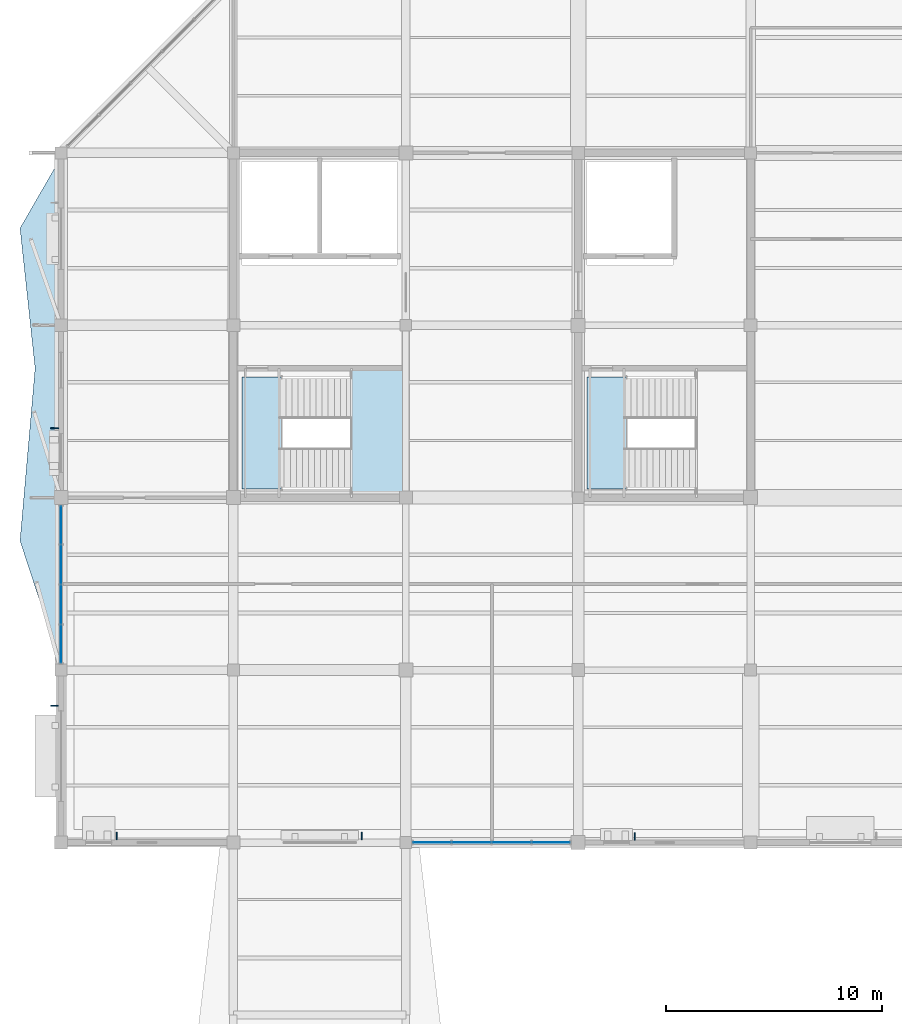
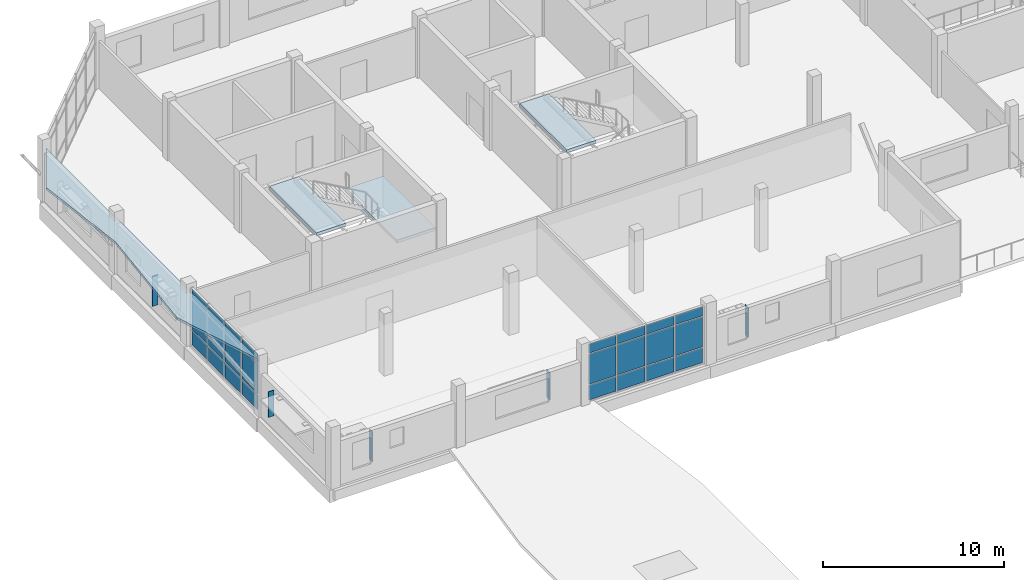
# One storey, part 52 of 72: 29 plates, 4 slabs, 4 elements without a shape of their own.
"""IFC4 building model written with IfcOpenShell, lengths in metres."""

from ifc_helpers import new_model, si_unit, direction, frame, origin, origin_2d, place, context, subcontext, project, spatial, polyline, rectangle, outline, extrude, material, layer, layer_set, type_object, element, aggregate, save


model = new_model("IFC4")

# Units and contexts
model_context = context("Model", 3, precision=1e-05, world=origin(), true_north=direction((0.0, 1.0)))
body_context = subcontext(model_context, "Body", "Model", "MODEL_VIEW")
ifc_project = project(units=[si_unit("LENGTHUNIT", "METRE"), si_unit("AREAUNIT", "SQUARE_METRE"), si_unit("VOLUMEUNIT", "CUBIC_METRE"), si_unit("PLANEANGLEUNIT", "RADIAN"), si_unit("MASSUNIT", "GRAM", prefix="KILO")], contexts=[model_context])

# Site, building, storey
site_placement = place(None, origin())
site = spatial("IfcSite", under=ifc_project, at=site_placement, CompositionType="ELEMENT")
building_placement = place(site_placement, origin())
building = spatial("IfcBuilding", under=site, at=building_placement, Name="Tenunan Teduh Sports Hall", CompositionType="ELEMENT")
storey_placement = place(building_placement, frame((0.0, 0.0, 15.0)))
storey = spatial("IfcBuildingStorey", under=building, at=storey_placement, Name="L03", CompositionType="ELEMENT", Elevation=15.0)

# Curtain wall, plates
ifc_material_1 = material(Name="Anodised aluminium", Category="aluminium")
curtain_wall_type = type_object("IfcCurtainWallType", Name="CW-UNIT-2", PredefinedType="NOTDEFINED", material=ifc_material_1)
curtain_wall_1_placement = place(storey_placement, origin())
curtain_wall_1 = element("IfcCurtainWall", 1, at=curtain_wall_1_placement, inside=storey, type_object=curtain_wall_type, Name="CW-CWM-200-L03-220", PredefinedType="NOTDEFINED")
ifc_material_2 = material(Name="Low-E laminated double glazing", Category="glass")
ifc_layer_1 = layer(ifc_material_2, 0.028076171875)
ifc_layer_set_1 = layer_set([ifc_layer_1], Name="Low-E laminated double glazing")
plate_type_1 = type_object("IfcPlateType", Name="CWP-GLZ-28", PredefinedType="CURTAIN_PANEL", material=ifc_layer_set_1)
plate_1_placement = place(storey_placement, frame((23.217529296875, 78.0, 1.134765625), z_axis=(0.0, 0.0, 1.0), x_axis=(1.0, 0.0, 0.0)))
plate_1 = element("IfcPlate", 2, at=plate_1_placement, type_object=plate_type_1, Name="CW-02 panel 1.2", PredefinedType="CURTAIN_PANEL", context=body_context, shape_type="SweptSolid", body=[
    extrude(rectangle(XDim=1.7451171875, YDim=0.028076171875, at=origin_2d()), origin(), (0.0, 0.0, 1.0), 2.030029296875),
])
plate_2_placement = place(storey_placement, frame((23.217529296875, 78.0, 3.23486328125), z_axis=(0.0, 0.0, 1.0), x_axis=(1.0, 0.0, 0.0)))
plate_2 = element("IfcPlate", 3, at=plate_2_placement, type_object=plate_type_1, Name="CW-02 panel 1.3", PredefinedType="CURTAIN_PANEL", context=body_context, shape_type="SweptSolid", body=[
    extrude(rectangle(XDim=1.7451171875, YDim=0.028076171875, at=origin_2d()), origin(), (0.0, 0.0, 1.0), 0.614990234375),
])
plate_3_placement = place(storey_placement, frame((25.050048828125, 78.0, 1.134765625), z_axis=(0.0, 0.0, 1.0), x_axis=(1.0, 0.0, 0.0)))
plate_3 = element("IfcPlate", 4, at=plate_3_placement, type_object=plate_type_1, Name="CW-02 panel 2.2", PredefinedType="CURTAIN_PANEL", context=body_context, shape_type="SweptSolid", body=[
    extrude(rectangle(XDim=1.780029296875, YDim=0.028076171875, at=origin_2d()), origin(), (0.0, 0.0, 1.0), 2.030029296875),
])
plate_4_placement = place(storey_placement, frame((25.050048828125, 78.0, 3.23486328125), z_axis=(0.0, 0.0, 1.0), x_axis=(1.0, 0.0, 0.0)))
plate_4 = element("IfcPlate", 5, at=plate_4_placement, type_object=plate_type_1, Name="CW-02 panel 2.3", PredefinedType="CURTAIN_PANEL", context=body_context, shape_type="SweptSolid", body=[
    extrude(rectangle(XDim=1.780029296875, YDim=0.028076171875, at=origin_2d()), origin(), (0.0, 0.0, 1.0), 0.614990234375),
])
plate_5_placement = place(storey_placement, frame((26.89990234375, 78.0, 1.134765625), z_axis=(0.0, 0.0, 1.0), x_axis=(1.0, 0.0, 0.0)))
plate_5 = element("IfcPlate", 6, at=plate_5_placement, type_object=plate_type_1, Name="CW-02 panel 3.2", PredefinedType="CURTAIN_PANEL", context=body_context, shape_type="SweptSolid", body=[
    extrude(rectangle(XDim=1.780029296875, YDim=0.028076171875, at=origin_2d()), origin(), (0.0, 0.0, 1.0), 2.030029296875),
])
plate_6_placement = place(storey_placement, frame((26.89990234375, 78.0, 3.23486328125), z_axis=(0.0, 0.0, 1.0), x_axis=(1.0, 0.0, 0.0)))
plate_6 = element("IfcPlate", 7, at=plate_6_placement, type_object=plate_type_1, Name="CW-02 panel 3.3", PredefinedType="CURTAIN_PANEL", context=body_context, shape_type="SweptSolid", body=[
    extrude(rectangle(XDim=1.780029296875, YDim=0.028076171875, at=origin_2d()), origin(), (0.0, 0.0, 1.0), 0.614990234375),
])
plate_7_placement = place(storey_placement, frame((28.732421875, 78.0, 1.134765625), z_axis=(0.0, 0.0, 1.0), x_axis=(1.0, 0.0, 0.0)))
plate_7 = element("IfcPlate", 8, at=plate_7_placement, type_object=plate_type_1, Name="CW-02 panel 4.2", PredefinedType="CURTAIN_PANEL", context=body_context, shape_type="SweptSolid", body=[
    extrude(rectangle(XDim=1.7451171875, YDim=0.028076171875, at=origin_2d()), origin(), (0.0, 0.0, 1.0), 2.030029296875),
])
plate_8_placement = place(storey_placement, frame((28.732421875, 78.0, 3.23486328125), z_axis=(0.0, 0.0, 1.0), x_axis=(1.0, 0.0, 0.0)))
plate_8 = element("IfcPlate", 9, at=plate_8_placement, type_object=plate_type_1, Name="CW-02 panel 4.3", PredefinedType="CURTAIN_PANEL", context=body_context, shape_type="SweptSolid", body=[
    extrude(rectangle(XDim=1.7451171875, YDim=0.028076171875, at=origin_2d()), origin(), (0.0, 0.0, 1.0), 0.614990234375),
])

curtain_wall_2_placement = place(storey_placement, origin())
curtain_wall_2 = element("IfcCurtainWall", 10, at=curtain_wall_2_placement, inside=storey, type_object=curtain_wall_type, Name="CW-CWM-200-L03-228", PredefinedType="NOTDEFINED")
plate_9_placement = place(storey_placement, frame((6.0, 87.217529296875, 1.134765625), z_axis=(0.0, 0.0, 1.0), x_axis=(0.0, 1.0, 0.0)))
plate_9 = element("IfcPlate", 11, at=plate_9_placement, type_object=plate_type_1, Name="CW-02 panel 1.2", PredefinedType="CURTAIN_PANEL", context=body_context, shape_type="SweptSolid", body=[
    extrude(rectangle(XDim=1.7451171875, YDim=0.028076171875, at=origin_2d()), origin(), (0.0, 0.0, 1.0), 2.030029296875),
])
plate_10_placement = place(storey_placement, frame((6.0, 87.217529296875, 3.23486328125), z_axis=(0.0, 0.0, 1.0), x_axis=(0.0, 1.0, 0.0)))
plate_10 = element("IfcPlate", 12, at=plate_10_placement, type_object=plate_type_1, Name="CW-02 panel 1.3", PredefinedType="CURTAIN_PANEL", context=body_context, shape_type="SweptSolid", body=[
    extrude(rectangle(XDim=1.7451171875, YDim=0.028076171875, at=origin_2d()), origin(), (0.0, 0.0, 1.0), 0.614990234375),
])
plate_11_placement = place(storey_placement, frame((6.0, 89.050048828125, 1.134765625), z_axis=(0.0, 0.0, 1.0), x_axis=(0.0, 1.0, 0.0)))
plate_11 = element("IfcPlate", 13, at=plate_11_placement, type_object=plate_type_1, Name="CW-02 panel 2.2", PredefinedType="CURTAIN_PANEL", context=body_context, shape_type="SweptSolid", body=[
    extrude(rectangle(XDim=1.780029296875, YDim=0.028076171875, at=origin_2d()), origin(), (0.0, 0.0, 1.0), 2.030029296875),
])
plate_12_placement = place(storey_placement, frame((6.0, 89.050048828125, 3.23486328125), z_axis=(0.0, 0.0, 1.0), x_axis=(0.0, 1.0, 0.0)))
plate_12 = element("IfcPlate", 14, at=plate_12_placement, type_object=plate_type_1, Name="CW-02 panel 2.3", PredefinedType="CURTAIN_PANEL", context=body_context, shape_type="SweptSolid", body=[
    extrude(rectangle(XDim=1.780029296875, YDim=0.028076171875, at=origin_2d()), origin(), (0.0, 0.0, 1.0), 0.614990234375),
])
plate_13_placement = place(storey_placement, frame((6.0, 90.89990234375, 1.134765625), z_axis=(0.0, 0.0, 1.0), x_axis=(0.0, 1.0, 0.0)))
plate_13 = element("IfcPlate", 15, at=plate_13_placement, type_object=plate_type_1, Name="CW-02 panel 3.2", PredefinedType="CURTAIN_PANEL", context=body_context, shape_type="SweptSolid", body=[
    extrude(rectangle(XDim=1.780029296875, YDim=0.028076171875, at=origin_2d()), origin(), (0.0, 0.0, 1.0), 2.030029296875),
])
plate_14_placement = place(storey_placement, frame((6.0, 90.89990234375, 3.23486328125), z_axis=(0.0, 0.0, 1.0), x_axis=(0.0, 1.0, 0.0)))
plate_14 = element("IfcPlate", 16, at=plate_14_placement, type_object=plate_type_1, Name="CW-02 panel 3.3", PredefinedType="CURTAIN_PANEL", context=body_context, shape_type="SweptSolid", body=[
    extrude(rectangle(XDim=1.780029296875, YDim=0.028076171875, at=origin_2d()), origin(), (0.0, 0.0, 1.0), 0.614990234375),
])
plate_15_placement = place(storey_placement, frame((6.0, 92.732421875, 1.134765625), z_axis=(0.0, 0.0, 1.0), x_axis=(0.0, 1.0, 0.0)))
plate_15 = element("IfcPlate", 17, at=plate_15_placement, type_object=plate_type_1, Name="CW-02 panel 4.2", PredefinedType="CURTAIN_PANEL", context=body_context, shape_type="SweptSolid", body=[
    extrude(rectangle(XDim=1.7451171875, YDim=0.028076171875, at=origin_2d()), origin(), (0.0, 0.0, 1.0), 2.030029296875),
])
plate_16_placement = place(storey_placement, frame((6.0, 92.732421875, 3.23486328125), z_axis=(0.0, 0.0, 1.0), x_axis=(0.0, 1.0, 0.0)))
plate_16 = element("IfcPlate", 18, at=plate_16_placement, type_object=plate_type_1, Name="CW-02 panel 4.3", PredefinedType="CURTAIN_PANEL", context=body_context, shape_type="SweptSolid", body=[
    extrude(rectangle(XDim=1.7451171875, YDim=0.028076171875, at=origin_2d()), origin(), (0.0, 0.0, 1.0), 0.614990234375),
])

# Plate
ifc_material_3 = material(Name="Insulated aluminium spandrel panel", Category="aluminium")
ifc_layer_2 = layer(ifc_material_3, 0.044921875)
ifc_layer_set_2 = layer_set([ifc_layer_2], Name="Insulated aluminium spandrel panel")
plate_type_2 = type_object("IfcPlateType", Name="CWP-SPN-45", PredefinedType="CURTAIN_PANEL", material=ifc_layer_set_2)
plate_17_placement = place(storey_placement, frame((23.217529296875, 78.0, 0.06982421875), z_axis=(0.0, 0.0, 1.0), x_axis=(1.0, 0.0, 0.0)))
plate_17 = element("IfcPlate", 19, at=plate_17_placement, type_object=plate_type_2, Name="CW-02 panel 1.1", PredefinedType="CURTAIN_PANEL", context=body_context, shape_type="SweptSolid", body=[
    extrude(rectangle(XDim=1.7451171875, YDim=0.028076171875, at=origin_2d()), origin(), (0.0, 0.0, 1.0), 0.9951171875),
])

plate_18_placement = place(storey_placement, frame((25.050048828125, 78.0, 0.06982421875), z_axis=(0.0, 0.0, 1.0), x_axis=(1.0, 0.0, 0.0)))
plate_18 = element("IfcPlate", 20, at=plate_18_placement, type_object=plate_type_2, Name="CW-02 panel 2.1", PredefinedType="CURTAIN_PANEL", context=body_context, shape_type="SweptSolid", body=[
    extrude(rectangle(XDim=1.780029296875, YDim=0.028076171875, at=origin_2d()), origin(), (0.0, 0.0, 1.0), 0.9951171875),
])

plate_19_placement = place(storey_placement, frame((26.89990234375, 78.0, 0.06982421875), z_axis=(0.0, 0.0, 1.0), x_axis=(1.0, 0.0, 0.0)))
plate_19 = element("IfcPlate", 21, at=plate_19_placement, type_object=plate_type_2, Name="CW-02 panel 3.1", PredefinedType="CURTAIN_PANEL", context=body_context, shape_type="SweptSolid", body=[
    extrude(rectangle(XDim=1.780029296875, YDim=0.028076171875, at=origin_2d()), origin(), (0.0, 0.0, 1.0), 0.9951171875),
])

plate_20_placement = place(storey_placement, frame((28.732421875, 78.0, 0.06982421875), z_axis=(0.0, 0.0, 1.0), x_axis=(1.0, 0.0, 0.0)))
plate_20 = element("IfcPlate", 22, at=plate_20_placement, type_object=plate_type_2, Name="CW-02 panel 4.1", PredefinedType="CURTAIN_PANEL", context=body_context, shape_type="SweptSolid", body=[
    extrude(rectangle(XDim=1.7451171875, YDim=0.028076171875, at=origin_2d()), origin(), (0.0, 0.0, 1.0), 0.9951171875),
])

aggregate(curtain_wall_1, [plate_17, plate_1, plate_2, plate_18, plate_3, plate_4, plate_19, plate_5, plate_6, plate_20, plate_7, plate_8])

plate_21_placement = place(storey_placement, frame((6.0, 87.217529296875, 0.06982421875), z_axis=(0.0, 0.0, 1.0), x_axis=(0.0, 1.0, 0.0)))
plate_21 = element("IfcPlate", 23, at=plate_21_placement, type_object=plate_type_2, Name="CW-02 panel 1.1", PredefinedType="CURTAIN_PANEL", context=body_context, shape_type="SweptSolid", body=[
    extrude(rectangle(XDim=1.7451171875, YDim=0.028076171875, at=origin_2d()), origin(), (0.0, 0.0, 1.0), 0.9951171875),
])

plate_22_placement = place(storey_placement, frame((6.0, 89.050048828125, 0.06982421875), z_axis=(0.0, 0.0, 1.0), x_axis=(0.0, 1.0, 0.0)))
plate_22 = element("IfcPlate", 24, at=plate_22_placement, type_object=plate_type_2, Name="CW-02 panel 2.1", PredefinedType="CURTAIN_PANEL", context=body_context, shape_type="SweptSolid", body=[
    extrude(rectangle(XDim=1.780029296875, YDim=0.028076171875, at=origin_2d()), origin(), (0.0, 0.0, 1.0), 0.9951171875),
])

plate_23_placement = place(storey_placement, frame((6.0, 90.89990234375, 0.06982421875), z_axis=(0.0, 0.0, 1.0), x_axis=(0.0, 1.0, 0.0)))
plate_23 = element("IfcPlate", 25, at=plate_23_placement, type_object=plate_type_2, Name="CW-02 panel 3.1", PredefinedType="CURTAIN_PANEL", context=body_context, shape_type="SweptSolid", body=[
    extrude(rectangle(XDim=1.780029296875, YDim=0.028076171875, at=origin_2d()), origin(), (0.0, 0.0, 1.0), 0.9951171875),
])

plate_24_placement = place(storey_placement, frame((6.0, 92.732421875, 0.06982421875), z_axis=(0.0, 0.0, 1.0), x_axis=(0.0, 1.0, 0.0)))
plate_24 = element("IfcPlate", 26, at=plate_24_placement, type_object=plate_type_2, Name="CW-02 panel 4.1", PredefinedType="CURTAIN_PANEL", context=body_context, shape_type="SweptSolid", body=[
    extrude(rectangle(XDim=1.7451171875, YDim=0.028076171875, at=origin_2d()), origin(), (0.0, 0.0, 1.0), 0.9951171875),
])

aggregate(curtain_wall_2, [plate_21, plate_9, plate_10, plate_22, plate_11, plate_12, plate_23, plate_13, plate_14, plate_24, plate_15, plate_16])

# Plates
ifc_material_4 = material(Name="Anodised aluminium", Category="aluminium")
ifc_layer_3 = layer(ifc_material_4, 1.89990234375)
ifc_layer_set_3 = layer_set([ifc_layer_3], Name="Anodised aluminium")
plate_type_3 = type_object("IfcPlateType", Name="PLT-FIN-1", PredefinedType="SHEET", material=ifc_layer_set_3)
plate_25_placement = place(storey_placement, frame((8.590087890625, 78.304931640625, 0.6298828125), z_axis=(0.0, 0.0, 1.0), x_axis=(1.0, 0.0, 0.0)))
element("IfcPlate", 27, at=plate_25_placement, inside=storey, type_object=plate_type_3, Name="PLT-FIN-L03-053", PredefinedType="SHEET", context=body_context, shape_type="SweptSolid", body=[
    extrude(rectangle(XDim=0.0400390625, YDim=0.360107421875, at=origin_2d()), origin(), (0.0, 0.0, 1.0), 2.0400390625),
])
plate_26_placement = place(storey_placement, frame((19.949951171875, 78.300048828125, 0.830078125), z_axis=(0.0, 0.0, 1.0), x_axis=(1.0, 0.0, 0.0)))
element("IfcPlate", 28, at=plate_26_placement, inside=storey, type_object=plate_type_3, Name="PLT-FIN-L03-054", PredefinedType="SHEET", context=body_context, shape_type="SweptSolid", body=[
    extrude(rectangle(XDim=0.0400390625, YDim=0.360107421875, at=origin_2d()), origin(), (0.0, 0.0, 1.0), 1.840087890625),
])
plate_27_placement = place(storey_placement, frame((32.614990234375, 78.284912109375, 0.6298828125), z_axis=(0.0, 0.0, 1.0), x_axis=(1.0, 0.0, 0.0)))
element("IfcPlate", 29, at=plate_27_placement, inside=storey, type_object=plate_type_3, Name="PLT-FIN-L03-055", PredefinedType="SHEET", context=body_context, shape_type="SweptSolid", body=[
    extrude(rectangle(XDim=0.0400390625, YDim=0.360107421875, at=origin_2d()), origin(), (0.0, 0.0, 1.0), 2.0400390625),
])
plate_28_placement = place(storey_placement, frame((5.699951171875, 84.35009765625, 0.93017578125), z_axis=(0.0, 0.0, 1.0), x_axis=(0.0, 1.0, 0.0)))
element("IfcPlate", 30, at=plate_28_placement, inside=storey, type_object=plate_type_3, Name="PLT-FIN-L03-062", PredefinedType="SHEET", context=body_context, shape_type="SweptSolid", body=[
    extrude(rectangle(XDim=0.0400390625, YDim=0.360107421875, at=origin_2d()), origin(), (0.0, 0.0, 1.0), 1.739990234375),
])
plate_29_placement = place(storey_placement, frame((5.715087890625, 97.215087890625, 0.6298828125), z_axis=(0.0, 0.0, 1.0), x_axis=(0.0, 1.0, 0.0)))
element("IfcPlate", 31, at=plate_29_placement, inside=storey, type_object=plate_type_3, Name="PLT-FIN-L03-063", PredefinedType="SHEET", context=body_context, shape_type="SweptSolid", body=[
    extrude(rectangle(XDim=0.0400390625, YDim=0.360107421875, at=origin_2d()), origin(), (0.0, 0.0, 1.0), 2.0400390625),
])

# Stair, slabs
ifc_material_5 = material(Name="Precast concrete C40/50", Category="concrete")
stair_type = type_object("IfcStairType", Name="STR-CORE-54", PredefinedType="HALF_TURN_STAIR", material=ifc_material_5)
stair_1_placement = place(storey_placement, origin())
stair_1 = element("IfcStair", 32, at=stair_1_placement, inside=storey, type_object=stair_type, Name="STR-W1-L03", PredefinedType="HALF_TURN_STAIR")
ifc_material_6 = material(Name="Precast concrete C40/50", Category="concrete")
ifc_layer_4 = layer(ifc_material_6, 0.199951171875)
ifc_layer_set_4 = layer_set([ifc_layer_4], Name="Precast concrete C40/50")
slab_type_1 = type_object("IfcSlabType", Name="SLB-LND-200", PredefinedType="LANDING", material=ifc_layer_set_4)
slab_1_placement = place(storey_placement, frame((0.0, 0.0, 1.89990234375)))
slab_1 = element("IfcSlab", 33, at=slab_1_placement, type_object=slab_type_1, Name="ST-05 landing 1", PredefinedType="LANDING", context=body_context, shape_type="SweptSolid", body=[
    extrude(outline(polyline([(19.39990234375, 94.139892578125), (21.860107421875, 94.139892578125), (21.860107421875, 99.89990234375), (19.39990234375, 99.89990234375), (19.39990234375, 94.139892578125)])), origin(), (0.0, 0.0, 1.0), 0.2001953125),
])
slab_2_placement = place(storey_placement, frame((0.0, 0.0, 4.0)))
slab_2 = element("IfcSlab", 34, at=slab_2_placement, type_object=slab_type_1, Name="ST-05 landing 2", PredefinedType="LANDING", context=body_context, shape_type="SweptSolid", body=[
    extrude(outline(polyline([(14.39990234375, 94.39990234375), (16.280029296875, 94.39990234375), (16.280029296875, 99.60009765625), (14.39990234375, 99.60009765625), (14.39990234375, 94.39990234375)])), origin(), (0.0, 0.0, 1.0), 0.199951171875),
])
aggregate(stair_1, [slab_1, slab_2])

# Stair, slab
stair_2_placement = place(storey_placement, origin())
stair_2 = element("IfcStair", 35, at=stair_2_placement, inside=storey, type_object=stair_type, Name="STR-W2-L03", PredefinedType="HALF_TURN_STAIR")
slab_3_placement = place(storey_placement, frame((0.0, 0.0, 4.0)))
slab_3 = element("IfcSlab", 36, at=slab_3_placement, type_object=slab_type_1, Name="ST-10 landing 2", PredefinedType="LANDING", context=body_context, shape_type="SweptSolid", body=[
    extrude(outline(polyline([(30.39990234375, 94.39990234375), (32.280029296875, 94.39990234375), (32.280029296875, 99.60009765625), (30.39990234375, 99.60009765625), (30.39990234375, 94.39990234375)])), origin(), (0.0, 0.0, 1.0), 0.199951171875),
])
aggregate(stair_2, [slab_3])

# Slab
ifc_material_7 = material(Name="Concrete C40/50", Category="concrete")
ifc_layer_5 = layer(ifc_material_7, 0.159912109375)
ifc_layer_set_5 = layer_set([ifc_layer_5], Name="Concrete C40/50")
slab_type_2 = type_object("IfcSlabType", Name="SLB-ROOF-160", PredefinedType="ROOF", material=ifc_layer_set_5)
slab_4_placement = place(storey_placement, frame((0.0, 0.0, 3.389892578125)))
element("IfcSlab", 37, at=slab_4_placement, inside=storey, type_object=slab_type_2, Name="Window Head Sun-Shade Hood SHD-RIB-V5W-W-L03", PredefinedType="ROOF", context=body_context, shape_type="SweptSolid", body=[
    extrude(outline(polyline([(6.0, 86.199951171875), (4.10009765625, 92.0), (4.800048828125, 100.0), (4.10009765625, 106.5), (6.0, 109.800048828125), (6.0, 86.199951171875)])), origin(), (0.0, 0.0, 1.0), 0.16015625),
])

save(model, "model.ifc")
